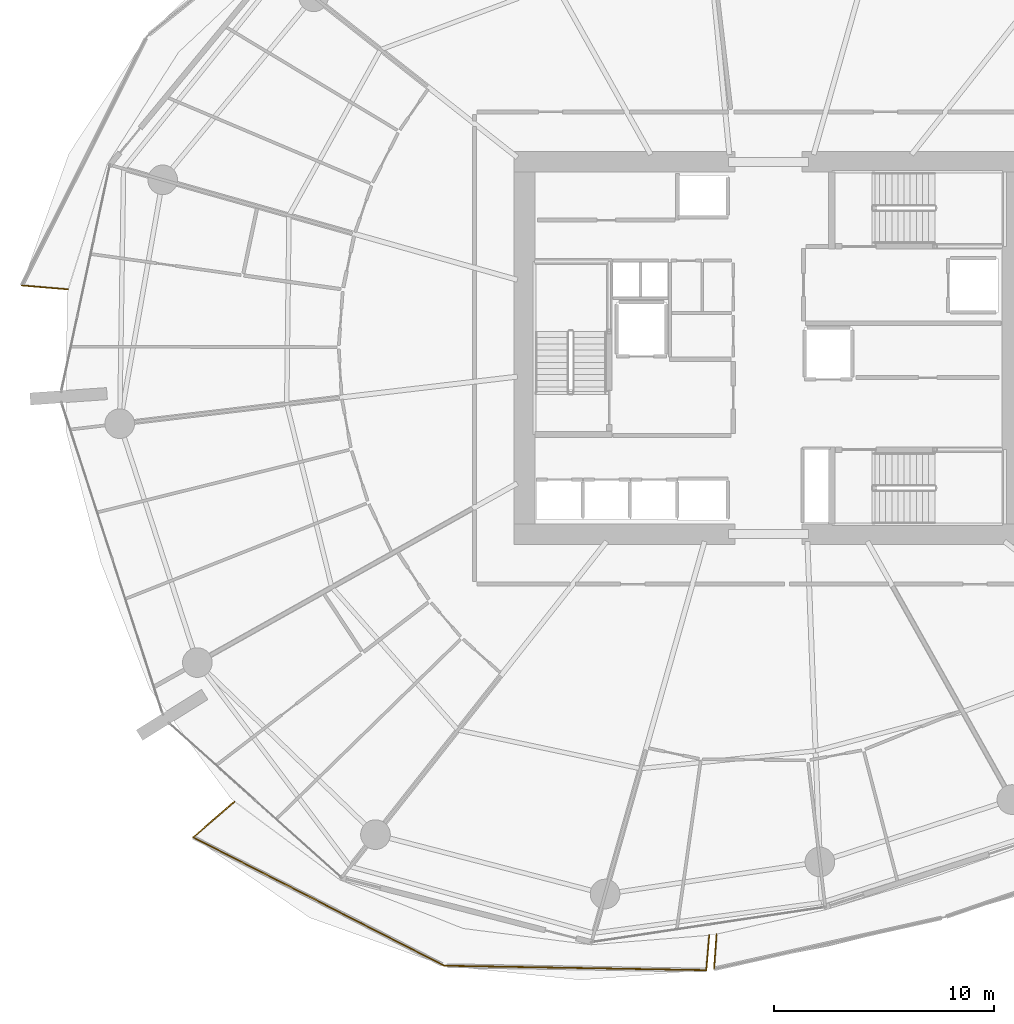
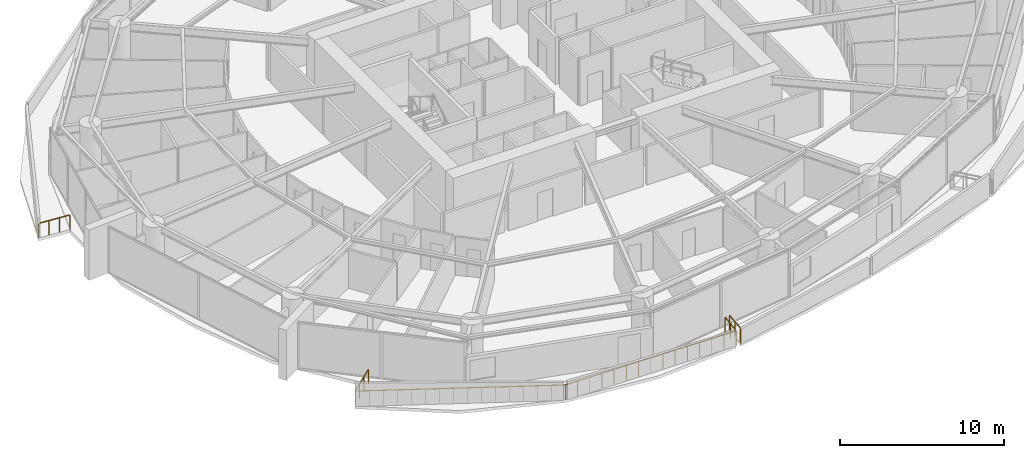
# One storey, part 26 of 32: 6 railings.
"""IFC4 building model written with IfcOpenShell, lengths in metres."""

from ifc_helpers import new_model, si_unit, direction, frame, origin, origin_2d, place, context, subcontext, project, spatial, rectangle, extrude, material, type_object, element, save


model = new_model("IFC4")

# Units and contexts
model_context = context("Model", 3, precision=1e-05, world=origin(), true_north=direction((0.0, 1.0)))
body_context = subcontext(model_context, "Body", "Model", "MODEL_VIEW")
ifc_project = project(units=[si_unit("LENGTHUNIT", "METRE"), si_unit("AREAUNIT", "SQUARE_METRE"), si_unit("VOLUMEUNIT", "CUBIC_METRE"), si_unit("PLANEANGLEUNIT", "RADIAN"), si_unit("MASSUNIT", "GRAM", prefix="KILO")], contexts=[model_context])

# Site, building, storey
site_placement = place(None, origin())
site = spatial("IfcSite", under=ifc_project, at=site_placement, CompositionType="ELEMENT")
building_placement = place(site_placement, origin())
building = spatial("IfcBuilding", under=site, at=building_placement, Name="Kazma Halo Residences", CompositionType="ELEMENT")
storey_placement = place(building_placement, frame((0.0, 0.0, 63.89990234375)))
storey = spatial("IfcBuildingStorey", under=building, at=storey_placement, Name="L15", CompositionType="ELEMENT", Elevation=63.89990234375)

# Railings
ifc_material = material(Name="Aluminium AW-6063 T6 Brushed Cap Rail", Category="aluminium")
railing_type = type_object("IfcRailingType", Name="RLG-BAL-CAP-1120", PredefinedType="BALUSTRADE", material=ifc_material)
railing_1_placement = place(storey_placement, frame((14.444580078125, 44.84716796875, 0.0)))
element("IfcRailing", 1, at=railing_1_placement, inside=storey, type_object=railing_type, Name="L15 NW wave balcony guard 4", PredefinedType="BALUSTRADE", context=body_context, shape_type="SweptSolid", body=[
    extrude(rectangle(XDim=0.050048828125, YDim=0.050048828125, at=origin_2d()), frame((0.04248046875, -0.003662109375, 1.09521484375), z_axis=(0.996424347806, -0.084489757365, 0.0), x_axis=(0.084489757365, 0.996424347806, 0.0)), (0.0, 0.0, 1.0), 2.027099609375),
    extrude(rectangle(XDim=0.0400390625, YDim=0.0400390625, at=origin_2d()), origin(), (0.0, 0.0, 1.0), 1.05810546875),
    extrude(rectangle(XDim=0.0400390625, YDim=0.0400390625, at=origin_2d()), frame((0.70166015625, -0.0595703125, 0.0)), (0.0, 0.0, 1.0), 1.05810546875),
    extrude(rectangle(XDim=0.0400390625, YDim=0.0400390625, at=origin_2d()), frame((1.403076171875, -0.118896484375, 0.0)), (0.0, 0.0, 1.0), 1.05810546875),
    extrude(rectangle(XDim=0.0400390625, YDim=0.0400390625, at=origin_2d()), frame((2.104736328125, -0.178466796875, 0.0)), (0.0, 0.0, 1.0), 1.05810546875),
])
railing_2_placement = place(storey_placement, frame((24.124267578125, 21.354736328125, 0.0)))
element("IfcRailing", 2, at=railing_2_placement, inside=storey, type_object=railing_type, Name="L15 SW wave balcony guard 1", PredefinedType="BALUSTRADE", context=body_context, shape_type="SweptSolid", body=[
    extrude(rectangle(XDim=0.050048828125, YDim=0.050048828125, at=origin_2d()), frame((-0.0322265625, -0.02783203125, 1.09521484375), z_axis=(-0.756389471098, -0.654121523887, 0.0), x_axis=(0.654121523887, -0.756389471098, 0.0)), (0.0, 0.0, 1.0), 2.397705078125),
    extrude(rectangle(XDim=0.0400390625, YDim=0.0400390625, at=origin_2d()), origin(), (0.0, 0.0, 1.0), 1.05810546875),
    extrude(rectangle(XDim=0.0400390625, YDim=0.0400390625, at=origin_2d()), frame((-0.6259765625, -0.541259765625, 0.0)), (0.0, 0.0, 1.0), 1.05810546875),
    extrude(rectangle(XDim=0.0400390625, YDim=0.0400390625, at=origin_2d()), frame((-1.251953125, -1.082763671875, 0.0)), (0.0, 0.0, 1.0), 1.05810546875),
    extrude(rectangle(XDim=0.0400390625, YDim=0.0400390625, at=origin_2d()), frame((-1.8779296875, -1.6240234375, 0.0)), (0.0, 0.0, 1.0), 1.05810546875),
])
railing_3_placement = place(storey_placement, frame((22.246337890625, 19.730712890625, 0.0)))
element("IfcRailing", 3, at=railing_3_placement, inside=storey, type_object=railing_type, Name="L15 SW wave balcony guard 2", PredefinedType="BALUSTRADE", context=body_context, shape_type="SweptSolid", body=[
    extrude(rectangle(XDim=0.050048828125, YDim=0.050048828125, at=origin_2d()), frame((0.037841796875, -0.019287109375, 1.09521484375), z_axis=(0.890397512329, -0.455183776114, 0.0), x_axis=(0.455183776114, 0.890397512329, 0.0)), (0.0, 0.0, 1.0), 12.75146484375),
    extrude(rectangle(XDim=0.0400390625, YDim=0.0400390625, at=origin_2d()), origin(), (0.0, 0.0, 1.0), 1.05810546875),
    extrude(rectangle(XDim=0.0400390625, YDim=0.0400390625, at=origin_2d()), frame((0.761962890625, -0.3896484375, 0.0)), (0.0, 0.0, 1.0), 1.05810546875),
    extrude(rectangle(XDim=0.0400390625, YDim=0.0400390625, at=origin_2d()), frame((1.52392578125, -0.779052734375, 0.0)), (0.0, 0.0, 1.0), 1.05810546875),
    extrude(rectangle(XDim=0.0400390625, YDim=0.0400390625, at=origin_2d()), frame((2.285888671875, -1.168701171875, 0.0)), (0.0, 0.0, 1.0), 1.05810546875),
    extrude(rectangle(XDim=0.0400390625, YDim=0.0400390625, at=origin_2d()), frame((3.0478515625, -1.55810546875, 0.0)), (0.0, 0.0, 1.0), 1.05810546875),
    extrude(rectangle(XDim=0.0400390625, YDim=0.0400390625, at=origin_2d()), frame((3.809814453125, -1.94775390625, 0.0)), (0.0, 0.0, 1.0), 1.05810546875),
    extrude(rectangle(XDim=0.0400390625, YDim=0.0400390625, at=origin_2d()), frame((4.57177734375, -2.337158203125, 0.0)), (0.0, 0.0, 1.0), 1.05810546875),
    extrude(rectangle(XDim=0.0400390625, YDim=0.0400390625, at=origin_2d()), frame((5.333740234375, -2.726806640625, 0.0)), (0.0, 0.0, 1.0), 1.05810546875),
    extrude(rectangle(XDim=0.0400390625, YDim=0.0400390625, at=origin_2d()), frame((6.095947265625, -3.1162109375, 0.0)), (0.0, 0.0, 1.0), 1.05810546875),
    extrude(rectangle(XDim=0.0400390625, YDim=0.0400390625, at=origin_2d()), frame((6.85791015625, -3.505859375, 0.0)), (0.0, 0.0, 1.0), 1.05810546875),
    extrude(rectangle(XDim=0.0400390625, YDim=0.0400390625, at=origin_2d()), frame((7.619873046875, -3.895263671875, 0.0)), (0.0, 0.0, 1.0), 1.05810546875),
    extrude(rectangle(XDim=0.0400390625, YDim=0.0400390625, at=origin_2d()), frame((8.3818359375, -4.284912109375, 0.0)), (0.0, 0.0, 1.0), 1.05810546875),
    extrude(rectangle(XDim=0.0400390625, YDim=0.0400390625, at=origin_2d()), frame((9.143798828125, -4.67431640625, 0.0)), (0.0, 0.0, 1.0), 1.05810546875),
    extrude(rectangle(XDim=0.0400390625, YDim=0.0400390625, at=origin_2d()), frame((9.90576171875, -5.06396484375, 0.0)), (0.0, 0.0, 1.0), 1.05810546875),
    extrude(rectangle(XDim=0.0400390625, YDim=0.0400390625, at=origin_2d()), frame((10.667724609375, -5.453369140625, 0.0)), (0.0, 0.0, 1.0), 1.05810546875),
    extrude(rectangle(XDim=0.0400390625, YDim=0.0400390625, at=origin_2d()), frame((11.4296875, -5.843017578125, 0.0)), (0.0, 0.0, 1.0), 1.05810546875),
])
railing_4_placement = place(storey_placement, frame((33.676025390625, 13.8876953125, 0.0)))
element("IfcRailing", 4, at=railing_4_placement, inside=storey, type_object=railing_type, Name="L15 SW wave balcony guard 3", PredefinedType="BALUSTRADE", context=body_context, shape_type="SweptSolid", body=[
    extrude(rectangle(XDim=0.050048828125, YDim=0.050048828125, at=origin_2d()), frame((0.04248046875, -0.000732421875, 1.09521484375), z_axis=(0.99985591733, -0.016974821943, 0.0), x_axis=(0.016974821943, 0.99985591733, 0.0)), (0.0, 0.0, 1.0), 11.838134765625),
    extrude(rectangle(XDim=0.0400390625, YDim=0.0400390625, at=origin_2d()), origin(), (0.0, 0.0, 1.0), 1.05810546875),
    extrude(rectangle(XDim=0.0400390625, YDim=0.0400390625, at=origin_2d()), frame((0.8515625, -0.014404296875, 0.0)), (0.0, 0.0, 1.0), 1.05810546875),
    extrude(rectangle(XDim=0.0400390625, YDim=0.0400390625, at=origin_2d()), frame((1.703125, -0.02880859375, 0.0)), (0.0, 0.0, 1.0), 1.05810546875),
    extrude(rectangle(XDim=0.0400390625, YDim=0.0400390625, at=origin_2d()), frame((2.5546875, -0.04345703125, 0.0)), (0.0, 0.0, 1.0), 1.05810546875),
    extrude(rectangle(XDim=0.0400390625, YDim=0.0400390625, at=origin_2d()), frame((3.406005859375, -0.057861328125, 0.0)), (0.0, 0.0, 1.0), 1.05810546875),
    extrude(rectangle(XDim=0.0400390625, YDim=0.0400390625, at=origin_2d()), frame((4.257568359375, -0.072265625, 0.0)), (0.0, 0.0, 1.0), 1.05810546875),
    extrude(rectangle(XDim=0.0400390625, YDim=0.0400390625, at=origin_2d()), frame((5.109130859375, -0.086669921875, 0.0)), (0.0, 0.0, 1.0), 1.05810546875),
    extrude(rectangle(XDim=0.0400390625, YDim=0.0400390625, at=origin_2d()), frame((5.960693359375, -0.10107421875, 0.0)), (0.0, 0.0, 1.0), 1.05810546875),
    extrude(rectangle(XDim=0.0400390625, YDim=0.0400390625, at=origin_2d()), frame((6.812255859375, -0.11572265625, 0.0)), (0.0, 0.0, 1.0), 1.05810546875),
    extrude(rectangle(XDim=0.0400390625, YDim=0.0400390625, at=origin_2d()), frame((7.663818359375, -0.130126953125, 0.0)), (0.0, 0.0, 1.0), 1.05810546875),
    extrude(rectangle(XDim=0.0400390625, YDim=0.0400390625, at=origin_2d()), frame((8.515380859375, -0.14453125, 0.0)), (0.0, 0.0, 1.0), 1.05810546875),
    extrude(rectangle(XDim=0.0400390625, YDim=0.0400390625, at=origin_2d()), frame((9.36669921875, -0.158935546875, 0.0)), (0.0, 0.0, 1.0), 1.05810546875),
    extrude(rectangle(XDim=0.0400390625, YDim=0.0400390625, at=origin_2d()), frame((10.21826171875, -0.173583984375, 0.0)), (0.0, 0.0, 1.0), 1.05810546875),
    extrude(rectangle(XDim=0.0400390625, YDim=0.0400390625, at=origin_2d()), frame((11.06982421875, -0.18798828125, 0.0)), (0.0, 0.0, 1.0), 1.05810546875),
    extrude(rectangle(XDim=0.0400390625, YDim=0.0400390625, at=origin_2d()), frame((11.92138671875, -0.202392578125, 0.0)), (0.0, 0.0, 1.0), 1.05810546875),
])
railing_5_placement = place(storey_placement, frame((45.597412109375, 13.685302734375, 0.0)))
element("IfcRailing", 5, at=railing_5_placement, inside=storey, type_object=railing_type, Name="L15 SW wave balcony guard 4", PredefinedType="BALUSTRADE", context=body_context, shape_type="SweptSolid", body=[
    extrude(rectangle(XDim=0.050048828125, YDim=0.050048828125, at=origin_2d()), frame((0.003662109375, 0.04248046875, 1.09521484375), z_axis=(0.084569636757, 0.996417571372, 0.0), x_axis=(-0.996417571372, 0.084569636757, 0.0)), (0.0, 0.0, 1.0), 1.505615234375),
    extrude(rectangle(XDim=0.0400390625, YDim=0.0400390625, at=origin_2d()), origin(), (0.0, 0.0, 1.0), 1.05810546875),
    extrude(rectangle(XDim=0.0400390625, YDim=0.0400390625, at=origin_2d()), frame((0.0673828125, 0.79248046875, 0.0)), (0.0, 0.0, 1.0), 1.05810546875),
    extrude(rectangle(XDim=0.0400390625, YDim=0.0400390625, at=origin_2d()), frame((0.134521484375, 1.5849609375, 0.0)), (0.0, 0.0, 1.0), 1.05810546875),
])
railing_6_placement = place(storey_placement, frame((46.064208984375, 15.320068359375, 0.0)))
element("IfcRailing", 6, at=railing_6_placement, inside=storey, type_object=railing_type, Name="L15 SSE wave balcony guard 1", PredefinedType="BALUSTRADE", context=body_context, shape_type="SweptSolid", body=[
    extrude(rectangle(XDim=0.050048828125, YDim=0.050048828125, at=origin_2d()), frame((-0.003173828125, -0.04248046875, 1.09521484375), z_axis=(-0.072363048519, -0.997378358101, 0.0), x_axis=(0.997378358101, -0.072363048519, 0.0)), (0.0, 0.0, 1.0), 1.500732421875),
    extrude(rectangle(XDim=0.0400390625, YDim=0.0400390625, at=origin_2d()), origin(), (0.0, 0.0, 1.0), 1.05810546875),
    extrude(rectangle(XDim=0.0400390625, YDim=0.0400390625, at=origin_2d()), frame((-0.057373046875, -0.790771484375, 0.0)), (0.0, 0.0, 1.0), 1.05810546875),
    extrude(rectangle(XDim=0.0400390625, YDim=0.0400390625, at=origin_2d()), frame((-0.11474609375, -1.58154296875, 0.0)), (0.0, 0.0, 1.0), 1.05810546875),
])

save(model, "model.ifc")
